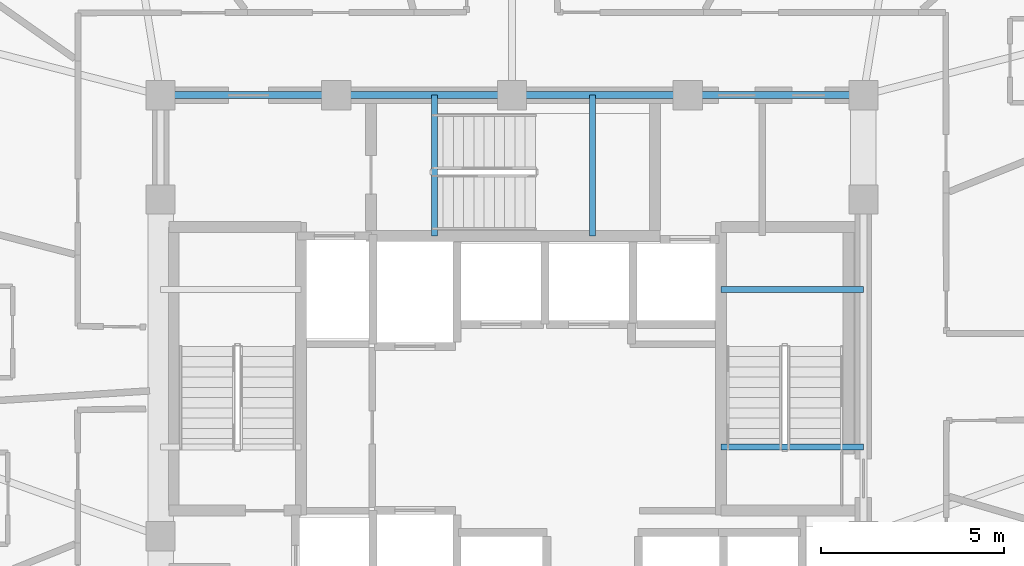
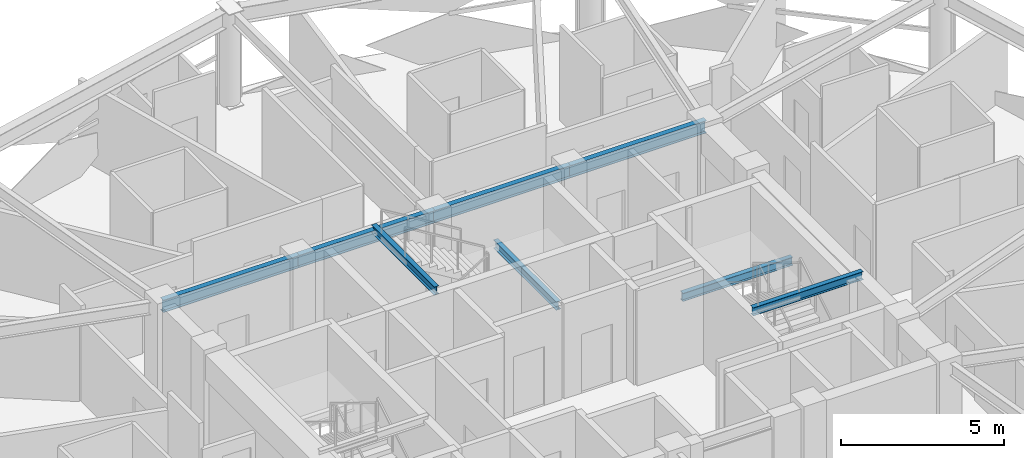
# One storey, part 10 of 30: 8 beams.
"""IFC4 building model written with IfcOpenShell, lengths in metres."""

from ifc_helpers import new_model, si_unit, direction, frame, origin, origin_2d, place, context, subcontext, project, spatial, i_section, extrude, material, material_profile, profile_set, type_object, element, save


model = new_model("IFC4")

# Units and contexts
model_context = context("Model", 3, precision=1e-05, world=origin(), true_north=direction((0.0, 1.0)))
body_context = subcontext(model_context, "Body", "Model", "MODEL_VIEW")
ifc_project = project(units=[si_unit("LENGTHUNIT", "METRE"), si_unit("AREAUNIT", "SQUARE_METRE"), si_unit("VOLUMEUNIT", "CUBIC_METRE"), si_unit("PLANEANGLEUNIT", "RADIAN"), si_unit("MASSUNIT", "GRAM", prefix="KILO")], contexts=[model_context])

# Site, building, storey
site_placement = place(None, origin())
site = spatial("IfcSite", under=ifc_project, at=site_placement, CompositionType="ELEMENT")
building_placement = place(site_placement, origin())
building = spatial("IfcBuilding", under=site, at=building_placement, Name="Vantalir Tower", CompositionType="ELEMENT")
storey_placement = place(building_placement, frame((0.0, 0.0, 201.14990234375)))
storey = spatial("IfcBuildingStorey", under=building, at=storey_placement, Name="L50", CompositionType="ELEMENT", Elevation=201.14990234375)

# Beams
ifc_material = material(Name="Steel S355", Category="steel")
ifc_material_profile_1 = material_profile(ifc_material, i_section(OverallWidth=0.166015625, OverallDepth=0.306884765625, WebThickness=0.006591796875, FlangeThickness=0.01171875, at=origin_2d()), Name="Steel S355")
ifc_profile_set_1 = profile_set([ifc_material_profile_1], Name="Steel S355")
beam_type_1 = type_object("IfcBeamType", Name="BM-JS-305x165", PredefinedType="JOIST", material=ifc_profile_set_1)
for number, where, z_axis, x_axis, name in (
    (1, (37.2099609375, 22.8349609375, 3.59619140625), (1.0, 0.0, 0.0), (0.0, 1.0, 0.0), "L51 Stair ST2 Well Nosing Trimmer Beam"),
    (2, (37.2099609375, 27.14501953125, 1.52099609375), (1.0, 0.0, 0.0), (0.0, 1.0, 0.0), "L50 Stair ST2 Half-Landing Support Beam"),
):
    element("IfcBeam", number, at=place(storey_placement, frame(where, z_axis=z_axis, x_axis=x_axis)), inside=storey, type_object=beam_type_1, Name=name, PredefinedType="JOIST", context=body_context, shape_type="SweptSolid", body=[
        extrude(i_section(OverallWidth=0.166015625, OverallDepth=0.306884765625, WebThickness=0.006591796875, FlangeThickness=0.01171875, at=origin_2d()), origin(), (0.0, 0.0, 1.0), 3.89013671875),
    ])
for number, where, z_axis, x_axis, name in (
    (3, (29.385009765625, 28.60009765625, 3.59619140625), (0.0, 1.0, 0.0), (-1.0, 0.0, 0.0), "L51 Stair ST3 Well Nosing Trimmer Beam"),
    (4, (33.695068359375, 28.60009765625, 1.52099609375), (0.0, 1.0, 0.0), (-1.0, 0.0, 0.0), "L50 Stair ST3 Half-Landing Support Beam"),
):
    element("IfcBeam", number, at=place(storey_placement, frame(where, z_axis=z_axis, x_axis=x_axis)), inside=storey, type_object=beam_type_1, Name=name, PredefinedType="JOIST", context=body_context, shape_type="SweptSolid", body=[
        extrude(i_section(OverallWidth=0.166015625, OverallDepth=0.306884765625, WebThickness=0.006591796875, FlangeThickness=0.01171875, at=origin_2d()), origin(), (0.0, 0.0, 1.0), 3.849853515625),
    ])
ifc_material_profile_2 = material_profile(ifc_material, i_section(OverallWidth=0.19189453125, OverallDepth=0.462890625, WebThickness=0.010498046875, FlangeThickness=0.017578125, at=origin_2d()), Name="Steel S355")
ifc_profile_set_2 = profile_set([ifc_material_profile_2], Name="Steel S355")
beam_type_2 = type_object("IfcBeamType", Name="BM-RB-457x191", PredefinedType="BEAM", material=ifc_profile_set_2)
for number, where, z_axis, x_axis, name in (
    (5, (41.10009765625, 32.449951171875, 3.338134765625), (-1.0, 0.0, 0.0), (0.0, -1.0, 0.0), "L50 Core Coupling Girder 08"),
    (6, (36.300048828125, 32.449951171875, 3.338134765625), (-1.0, 0.0, 0.0), (0.0, -1.0, 0.0), "L50 Core Coupling Girder 09"),
    (7, (31.5, 32.449951171875, 3.338134765625), (-1.0, 0.0, 0.0), (0.0, -1.0, 0.0), "L50 Core Coupling Girder 10"),
    (8, (26.699951171875, 32.449951171875, 3.338134765625), (-1.0, 0.0, 0.0), (0.0, -1.0, 0.0), "L50 Core Coupling Girder 11"),
):
    element("IfcBeam", number, at=place(storey_placement, frame(where, z_axis=z_axis, x_axis=x_axis)), inside=storey, type_object=beam_type_2, Name=name, PredefinedType="BEAM", context=body_context, shape_type="SweptSolid", body=[
        extrude(i_section(OverallWidth=0.19189453125, OverallDepth=0.462890625, WebThickness=0.010498046875, FlangeThickness=0.017578125, at=origin_2d()), origin(), (0.0, 0.0, 1.0), 4.800048828125),
    ])

save(model, "model.ifc")
